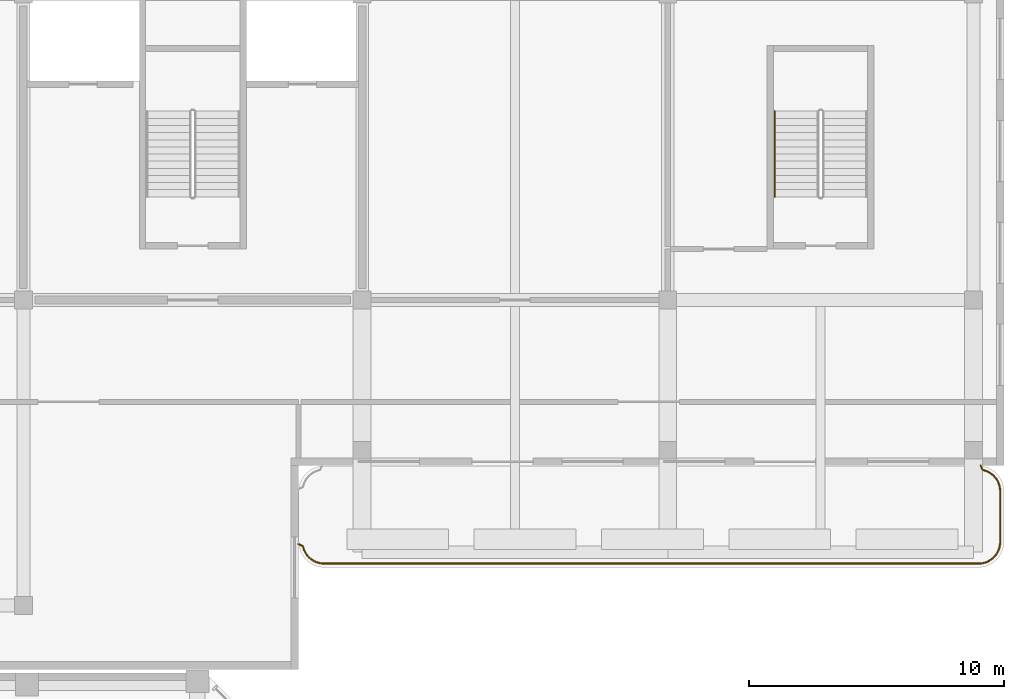
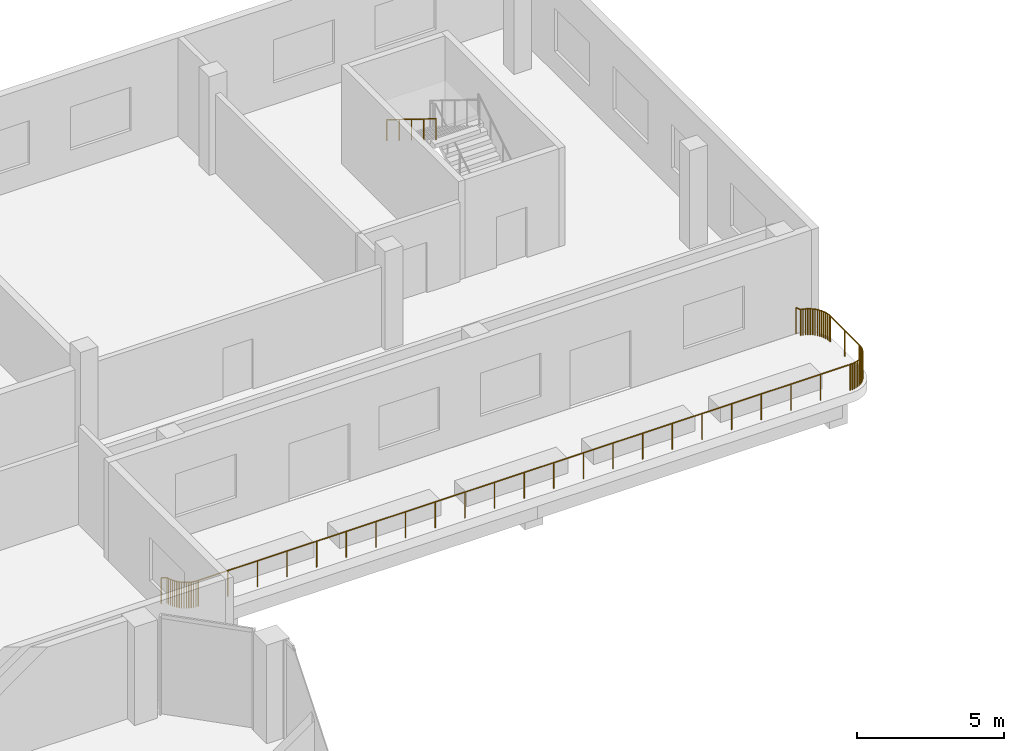
# One storey, part 35 of 36: 2 railings.
"""IFC4 building model written with IfcOpenShell, lengths in metres."""

from ifc_helpers import new_model, si_unit, direction, frame, origin, origin_2d, place, context, subcontext, project, spatial, circle, extrude, material, type_object, element, save


model = new_model("IFC4")

# Units and contexts
model_context = context("Model", 3, precision=1e-05, world=origin(), true_north=direction((0.0, 1.0)))
body_context = subcontext(model_context, "Body", "Model", "MODEL_VIEW")
ifc_project = project(units=[si_unit("LENGTHUNIT", "METRE"), si_unit("AREAUNIT", "SQUARE_METRE"), si_unit("VOLUMEUNIT", "CUBIC_METRE"), si_unit("PLANEANGLEUNIT", "RADIAN"), si_unit("MASSUNIT", "GRAM", prefix="KILO")], contexts=[model_context])

# Site, building, storey
site_placement = place(None, origin())
site = spatial("IfcSite", under=ifc_project, at=site_placement, CompositionType="ELEMENT")
building_placement = place(site_placement, origin())
building = spatial("IfcBuilding", under=site, at=building_placement, Name="Kilnfold Tower and Market Hall", CompositionType="ELEMENT")
storey_placement = place(building_placement, frame((0.0, 0.0, 18.0)))
storey = spatial("IfcBuildingStorey", under=building, at=storey_placement, Name="L03", CompositionType="ELEMENT", Elevation=18.0)

# Railings
ifc_material_1 = material(Name="Steel S355", Category="steel")
railing_type_1 = type_object("IfcRailingType", Name="HALL STAIR HANDRAIL", PredefinedType="HANDRAIL", material=ifc_material_1)
railing_1_placement = place(storey_placement, frame((46.85009765625, 50.06005859375, 2.423095703125)))
element("IfcRailing", 1, at=railing_1_placement, inside=storey, type_object=railing_type_1, Name="L03 MS6 stair handrail 2", PredefinedType="HANDRAIL", context=body_context, shape_type="SweptSolid", body=[
    extrude(circle(Radius=0.02392578125, at=origin_2d()), frame((0.0, 0.0, 0.8759765625), z_axis=(0.0, -0.850623216509, 0.525775754039), x_axis=(1.0, 0.0, 0.0)), (0.0, 0.0, 1.0), 3.9501953125),
    extrude(circle(Radius=0.02099609375, at=origin_2d()), origin(), (0.0, 0.0, 1.0), 0.851806640625),
    extrude(circle(Radius=0.02099609375, at=origin_2d()), frame((0.0, -0.840087890625, 0.519287109375)), (0.0, 0.0, 1.0), 0.851806640625),
    extrude(circle(Radius=0.02099609375, at=origin_2d()), frame((0.0, -1.68017578125, 1.03857421875)), (0.0, 0.0, 1.0), 0.851806640625),
    extrude(circle(Radius=0.02099609375, at=origin_2d()), frame((0.0, -2.52001953125, 1.5576171875)), (0.0, 0.0, 1.0), 0.851806640625),
    extrude(circle(Radius=0.02099609375, at=origin_2d()), frame((0.0, -3.360107421875, 2.076904296875)), (0.0, 0.0, 1.0), 0.851806640625),
])
ifc_material_2 = material(Name="Steel S355", Category="steel")
railing_type_2 = type_object("IfcRailingType", Name="TERRACE GUARD 1100", PredefinedType="GUARDRAIL", material=ifc_material_2)
railing_2_placement = place(storey_placement, frame((54.933349609375, 36.14990234375, 0.0)))
element("IfcRailing", 2, at=railing_2_placement, inside=storey, type_object=railing_type_2, Name="Terrace guard L03", PredefinedType="GUARDRAIL", context=body_context, shape_type="SweptSolid", body=[
    extrude(circle(Radius=0.02392578125, at=origin_2d()), frame((0.0, 0.0, 1.076171875), z_axis=(0.42350270475, -0.905894838858, 0.0), x_axis=(0.905894838858, 0.42350270475, 0.0)), (0.0, 0.0, 1.0), 0.19482421875),
    extrude(circle(Radius=0.02392578125, at=origin_2d()), frame((0.08251953125, -0.176513671875, 1.076171875), z_axis=(0.969969877317, -0.243225074977, 0.0), x_axis=(0.243225074977, 0.969969877317, 0.0)), (0.0, 0.0, 1.0), 0.083251953125),
    extrude(circle(Radius=0.02392578125, at=origin_2d()), frame((0.163330078125, -0.19677734375, 1.076171875), z_axis=(0.941741911595, -0.336336396998, 0.0), x_axis=(0.336336396998, 0.941741911595, 0.0)), (0.0, 0.0, 1.0), 0.08349609375),
    extrude(circle(Radius=0.02392578125, at=origin_2d()), frame((0.241943359375, -0.224853515625, 1.076171875), z_axis=(0.903618326629, -0.428338557428, 0.0), x_axis=(0.428338557428, 0.903618326629, 0.0)), (0.0, 0.0, 1.0), 0.083251953125),
    extrude(circle(Radius=0.02392578125, at=origin_2d()), frame((0.317138671875, -0.260498046875, 1.076171875), z_axis=(0.858525353686, -0.512771115683, 0.0), x_axis=(0.512771115683, 0.858525353686, 0.0)), (0.0, 0.0, 1.0), 0.083251953125),
    extrude(circle(Radius=0.02392578125, at=origin_2d()), frame((0.388671875, -0.30322265625, 1.076171875), z_axis=(0.803143107794, -0.595786159963, 0.0), x_axis=(0.595786159963, 0.803143107794, 0.0)), (0.0, 0.0, 1.0), 0.08349609375),
    extrude(circle(Radius=0.02392578125, at=origin_2d()), frame((0.455810546875, -0.35302734375, 1.076171875), z_axis=(0.741396915291, -0.671066773129, 0.0), x_axis=(0.671066773129, 0.741396915291, 0.0)), (0.0, 0.0, 1.0), 0.083251953125),
    extrude(circle(Radius=0.02392578125, at=origin_2d()), frame((0.517578125, -0.408935546875, 1.076171875), z_axis=(0.671066773129, -0.741396915291, 0.0), x_axis=(0.741396915291, 0.671066773129, 0.0)), (0.0, 0.0, 1.0), 0.083251953125),
    extrude(circle(Radius=0.02392578125, at=origin_2d()), frame((0.573486328125, -0.470703125, 1.076171875), z_axis=(0.595786159963, -0.803143107794, 0.0), x_axis=(0.803143107794, 0.595786159963, 0.0)), (0.0, 0.0, 1.0), 0.08349609375),
    extrude(circle(Radius=0.02392578125, at=origin_2d()), frame((0.623291015625, -0.537841796875, 1.076171875), z_axis=(0.514925942955, -0.857234666397, 0.0), x_axis=(0.857234666397, 0.514925942955, 0.0)), (0.0, 0.0, 1.0), 0.08349609375),
    extrude(circle(Radius=0.02392578125, at=origin_2d()), frame((0.666259765625, -0.609375, 1.076171875), z_axis=(0.424809143949, -0.905282934346, 0.0), x_axis=(0.905282934346, 0.424809143949, 0.0)), (0.0, 0.0, 1.0), 0.083251953125),
    extrude(circle(Radius=0.02392578125, at=origin_2d()), frame((0.70166015625, -0.684814453125, 1.076171875), z_axis=(0.337265155703, -0.941409695483, 0.0), x_axis=(0.941409695483, 0.337265155703, 0.0)), (0.0, 0.0, 1.0), 0.083251953125),
    extrude(circle(Radius=0.02392578125, at=origin_2d()), frame((0.729736328125, -0.76318359375, 1.076171875), z_axis=(0.245979182383, -0.969275111531, 0.0), x_axis=(0.969275111531, 0.245979182383, 0.0)), (0.0, 0.0, 1.0), 0.083251953125),
    extrude(circle(Radius=0.02392578125, at=origin_2d()), frame((0.750244140625, -0.843994140625, 1.076171875), z_axis=(0.146336518873, -0.989234867584, 0.0), x_axis=(0.989234867584, 0.146336518873, 0.0)), (0.0, 0.0, 1.0), 0.08349609375),
    extrude(circle(Radius=0.02392578125, at=origin_2d()), frame((0.762451171875, -0.926513671875, 1.076171875), z_axis=(0.047565149415, -0.998868137724, 0.0), x_axis=(0.998868137724, 0.047565149415, 0.0)), (0.0, 0.0, 1.0), 0.087158203125),
    extrude(circle(Radius=0.02392578125, at=origin_2d()), frame((0.7666015625, -1.013671875, 1.076171875), z_axis=(0.0, -1.0, 0.0), x_axis=(1.0, 0.0, 0.0)), (0.0, 0.0, 1.0), 1.982421875),
    extrude(circle(Radius=0.02392578125, at=origin_2d()), frame((0.7666015625, -2.99609375, 1.076171875), z_axis=(-0.047565149415, -0.998868137724, 0.0), x_axis=(0.998868137724, -0.047565149415, 0.0)), (0.0, 0.0, 1.0), 0.087158203125),
    extrude(circle(Radius=0.02392578125, at=origin_2d()), frame((0.762451171875, -3.083251953125, 1.076171875), z_axis=(-0.146336518873, -0.989234867584, 0.0), x_axis=(0.989234867584, -0.146336518873, 0.0)), (0.0, 0.0, 1.0), 0.08349609375),
    extrude(circle(Radius=0.02392578125, at=origin_2d()), frame((0.750244140625, -3.165771484375, 1.076171875), z_axis=(-0.245979182383, -0.969275111531, 0.0), x_axis=(0.969275111531, -0.245979182383, 0.0)), (0.0, 0.0, 1.0), 0.083251953125),
    extrude(circle(Radius=0.02392578125, at=origin_2d()), frame((0.729736328125, -3.24658203125, 1.076171875), z_axis=(-0.336336396998, -0.941741911595, 0.0), x_axis=(0.941741911595, -0.336336396998, 0.0)), (0.0, 0.0, 1.0), 0.08349609375),
    extrude(circle(Radius=0.02392578125, at=origin_2d()), frame((0.70166015625, -3.3251953125, 1.076171875), z_axis=(-0.425938497463, -0.904752118748, 0.0), x_axis=(0.904752118748, -0.425938497463, 0.0)), (0.0, 0.0, 1.0), 0.0830078125),
    extrude(circle(Radius=0.02392578125, at=origin_2d()), frame((0.666259765625, -3.400390625, 1.076171875), z_axis=(-0.514925942955, -0.857234666397, 0.0), x_axis=(0.857234666397, -0.514925942955, 0.0)), (0.0, 0.0, 1.0), 0.08349609375),
    extrude(circle(Radius=0.02392578125, at=origin_2d()), frame((0.623291015625, -3.471923828125, 1.076171875), z_axis=(-0.595786159963, -0.803143107794, 0.0), x_axis=(0.803143107794, -0.595786159963, 0.0)), (0.0, 0.0, 1.0), 0.08349609375),
    extrude(circle(Radius=0.02392578125, at=origin_2d()), frame((0.573486328125, -3.5390625, 1.076171875), z_axis=(-0.671066773129, -0.741396915291, 0.0), x_axis=(0.741396915291, -0.671066773129, 0.0)), (0.0, 0.0, 1.0), 0.083251953125),
    extrude(circle(Radius=0.02392578125, at=origin_2d()), frame((0.517578125, -3.600830078125, 1.076171875), z_axis=(-0.741396915291, -0.671066773129, 0.0), x_axis=(0.671066773129, -0.741396915291, 0.0)), (0.0, 0.0, 1.0), 0.083251953125),
    extrude(circle(Radius=0.02392578125, at=origin_2d()), frame((0.455810546875, -3.65673828125, 1.076171875), z_axis=(-0.803143107794, -0.595786159963, 0.0), x_axis=(0.595786159963, -0.803143107794, 0.0)), (0.0, 0.0, 1.0), 0.08349609375),
    extrude(circle(Radius=0.02392578125, at=origin_2d()), frame((0.388671875, -3.70654296875, 1.076171875), z_axis=(-0.857234666397, -0.514925942955, 0.0), x_axis=(0.514925942955, -0.857234666397, 0.0)), (0.0, 0.0, 1.0), 0.08349609375),
    extrude(circle(Radius=0.02392578125, at=origin_2d()), frame((0.317138671875, -3.74951171875, 1.076171875), z_axis=(-0.904752118748, -0.425938497463, 0.0), x_axis=(0.425938497463, -0.904752118748, 0.0)), (0.0, 0.0, 1.0), 0.0830078125),
    extrude(circle(Radius=0.02392578125, at=origin_2d()), frame((0.241943359375, -3.784912109375, 1.076171875), z_axis=(-0.941741911595, -0.336336396998, 0.0), x_axis=(0.336336396998, -0.941741911595, 0.0)), (0.0, 0.0, 1.0), 0.08349609375),
    extrude(circle(Radius=0.02392578125, at=origin_2d()), frame((0.163330078125, -3.81298828125, 1.076171875), z_axis=(-0.969275111531, -0.245979182383, 0.0), x_axis=(0.245979182383, -0.969275111531, 0.0)), (0.0, 0.0, 1.0), 0.083251953125),
    extrude(circle(Radius=0.02392578125, at=origin_2d()), frame((0.08251953125, -3.83349609375, 1.076171875), z_axis=(-0.989234867584, -0.146336518873, 0.0), x_axis=(0.146336518873, -0.989234867584, 0.0)), (0.0, 0.0, 1.0), 0.08349609375),
    extrude(circle(Radius=0.02392578125, at=origin_2d()), frame((0.0, -3.845703125, 1.076171875), z_axis=(-0.998868137724, -0.047565149415, 0.0), x_axis=(0.047565149415, -0.998868137724, 0.0)), (0.0, 0.0, 1.0), 0.087158203125),
    extrude(circle(Radius=0.02392578125, at=origin_2d()), frame((-0.087158203125, -3.849853515625, 1.076171875), z_axis=(-1.0, 0.0, 0.0), x_axis=(0.0, -1.0, 0.0)), (0.0, 0.0, 1.0), 25.682373046875),
    extrude(circle(Radius=0.02392578125, at=origin_2d()), frame((-25.76953125, -3.849853515625, 1.076171875), z_axis=(-0.998868137724, 0.047565149415, 0.0), x_axis=(-0.047565149415, -0.998868137724, 0.0)), (0.0, 0.0, 1.0), 0.087158203125),
    extrude(circle(Radius=0.02392578125, at=origin_2d()), frame((-25.856689453125, -3.845703125, 1.076171875), z_axis=(-0.989234867584, 0.146336518873, 0.0), x_axis=(-0.146336518873, -0.989234867584, 0.0)), (0.0, 0.0, 1.0), 0.08349609375),
    extrude(circle(Radius=0.02392578125, at=origin_2d()), frame((-25.939208984375, -3.83349609375, 1.076171875), z_axis=(-0.969275111531, 0.245979182383, 0.0), x_axis=(-0.245979182383, -0.969275111531, 0.0)), (0.0, 0.0, 1.0), 0.083251953125),
    extrude(circle(Radius=0.02392578125, at=origin_2d()), frame((-26.02001953125, -3.81298828125, 1.076171875), z_axis=(-0.941741911595, 0.336336396998, 0.0), x_axis=(-0.336336396998, -0.941741911595, 0.0)), (0.0, 0.0, 1.0), 0.08349609375),
    extrude(circle(Radius=0.02392578125, at=origin_2d()), frame((-26.0986328125, -3.784912109375, 1.076171875), z_axis=(-0.904752118748, 0.425938497463, 0.0), x_axis=(-0.425938497463, -0.904752118748, 0.0)), (0.0, 0.0, 1.0), 0.0830078125),
    extrude(circle(Radius=0.02392578125, at=origin_2d()), frame((-26.173828125, -3.74951171875, 1.076171875), z_axis=(-0.857234666397, 0.514925942955, 0.0), x_axis=(-0.514925942955, -0.857234666397, 0.0)), (0.0, 0.0, 1.0), 0.08349609375),
    extrude(circle(Radius=0.02392578125, at=origin_2d()), frame((-26.245361328125, -3.70654296875, 1.076171875), z_axis=(-0.803143107794, 0.595786159963, 0.0), x_axis=(-0.595786159963, -0.803143107794, 0.0)), (0.0, 0.0, 1.0), 0.08349609375),
    extrude(circle(Radius=0.02392578125, at=origin_2d()), frame((-26.3125, -3.65673828125, 1.076171875), z_axis=(-0.741396915291, 0.671066773129, 0.0), x_axis=(-0.671066773129, -0.741396915291, 0.0)), (0.0, 0.0, 1.0), 0.083251953125),
    extrude(circle(Radius=0.02392578125, at=origin_2d()), frame((-26.374267578125, -3.600830078125, 1.076171875), z_axis=(-0.671066773129, 0.741396915291, 0.0), x_axis=(-0.741396915291, -0.671066773129, 0.0)), (0.0, 0.0, 1.0), 0.083251953125),
    extrude(circle(Radius=0.02392578125, at=origin_2d()), frame((-26.43017578125, -3.5390625, 1.076171875), z_axis=(-0.595786159963, 0.803143107794, 0.0), x_axis=(-0.803143107794, -0.595786159963, 0.0)), (0.0, 0.0, 1.0), 0.08349609375),
    extrude(circle(Radius=0.02392578125, at=origin_2d()), frame((-26.47998046875, -3.471923828125, 1.076171875), z_axis=(-0.514925942955, 0.857234666397, 0.0), x_axis=(-0.857234666397, -0.514925942955, 0.0)), (0.0, 0.0, 1.0), 0.08349609375),
    extrude(circle(Radius=0.02392578125, at=origin_2d()), frame((-26.52294921875, -3.400390625, 1.076171875), z_axis=(-0.425938497463, 0.904752118748, 0.0), x_axis=(-0.904752118748, -0.425938497463, 0.0)), (0.0, 0.0, 1.0), 0.0830078125),
    extrude(circle(Radius=0.02392578125, at=origin_2d()), frame((-26.558349609375, -3.3251953125, 1.076171875), z_axis=(-0.338926384952, 0.940812896161, 0.0), x_axis=(-0.940812896161, -0.338926384952, 0.0)), (0.0, 0.0, 1.0), 0.08349609375),
    extrude(circle(Radius=0.02392578125, at=origin_2d()), frame((-26.586669921875, -3.24658203125, 1.076171875), z_axis=(-0.243225074977, 0.969969877317, 0.0), x_axis=(-0.969969877317, -0.243225074977, 0.0)), (0.0, 0.0, 1.0), 0.083251953125),
    extrude(circle(Radius=0.02392578125, at=origin_2d()), frame((-26.60693359375, -3.165771484375, 1.076171875), z_axis=(-0.905894838858, 0.42350270475, 0.0), x_axis=(-0.42350270475, -0.905894838858, 0.0)), (0.0, 0.0, 1.0), 0.19482421875),
    extrude(circle(Radius=0.02099609375, at=origin_2d()), origin(), (0.0, 0.0, 1.0), 1.052001953125),
    extrude(circle(Radius=0.02099609375, at=origin_2d()), frame((0.08251953125, -0.176513671875, 0.0)), (0.0, 0.0, 1.0), 1.052001953125),
    extrude(circle(Radius=0.02099609375, at=origin_2d()), frame((0.163330078125, -0.19677734375, 0.0)), (0.0, 0.0, 1.0), 1.052001953125),
    extrude(circle(Radius=0.02099609375, at=origin_2d()), frame((0.241943359375, -0.224853515625, 0.0)), (0.0, 0.0, 1.0), 1.052001953125),
    extrude(circle(Radius=0.02099609375, at=origin_2d()), frame((0.317138671875, -0.260498046875, 0.0)), (0.0, 0.0, 1.0), 1.052001953125),
    extrude(circle(Radius=0.02099609375, at=origin_2d()), frame((0.388671875, -0.30322265625, 0.0)), (0.0, 0.0, 1.0), 1.052001953125),
    extrude(circle(Radius=0.02099609375, at=origin_2d()), frame((0.455810546875, -0.35302734375, 0.0)), (0.0, 0.0, 1.0), 1.052001953125),
    extrude(circle(Radius=0.02099609375, at=origin_2d()), frame((0.517578125, -0.408935546875, 0.0)), (0.0, 0.0, 1.0), 1.052001953125),
    extrude(circle(Radius=0.02099609375, at=origin_2d()), frame((0.573486328125, -0.470703125, 0.0)), (0.0, 0.0, 1.0), 1.052001953125),
    extrude(circle(Radius=0.02099609375, at=origin_2d()), frame((0.623291015625, -0.537841796875, 0.0)), (0.0, 0.0, 1.0), 1.052001953125),
    extrude(circle(Radius=0.02099609375, at=origin_2d()), frame((0.666259765625, -0.609375, 0.0)), (0.0, 0.0, 1.0), 1.052001953125),
    extrude(circle(Radius=0.02099609375, at=origin_2d()), frame((0.70166015625, -0.684814453125, 0.0)), (0.0, 0.0, 1.0), 1.052001953125),
    extrude(circle(Radius=0.02099609375, at=origin_2d()), frame((0.729736328125, -0.76318359375, 0.0)), (0.0, 0.0, 1.0), 1.052001953125),
    extrude(circle(Radius=0.02099609375, at=origin_2d()), frame((0.750244140625, -0.843994140625, 0.0)), (0.0, 0.0, 1.0), 1.052001953125),
    extrude(circle(Radius=0.02099609375, at=origin_2d()), frame((0.762451171875, -0.926513671875, 0.0)), (0.0, 0.0, 1.0), 1.052001953125),
    extrude(circle(Radius=0.02099609375, at=origin_2d()), frame((0.7666015625, -1.013671875, 0.0)), (0.0, 0.0, 1.0), 1.052001953125),
    extrude(circle(Radius=0.02099609375, at=origin_2d()), frame((0.7666015625, -2.0048828125, 0.0)), (0.0, 0.0, 1.0), 1.052001953125),
    extrude(circle(Radius=0.02099609375, at=origin_2d()), frame((0.7666015625, -2.99609375, 0.0)), (0.0, 0.0, 1.0), 1.052001953125),
    extrude(circle(Radius=0.02099609375, at=origin_2d()), frame((0.762451171875, -3.083251953125, 0.0)), (0.0, 0.0, 1.0), 1.052001953125),
    extrude(circle(Radius=0.02099609375, at=origin_2d()), frame((0.750244140625, -3.165771484375, 0.0)), (0.0, 0.0, 1.0), 1.052001953125),
    extrude(circle(Radius=0.02099609375, at=origin_2d()), frame((0.729736328125, -3.24658203125, 0.0)), (0.0, 0.0, 1.0), 1.052001953125),
    extrude(circle(Radius=0.02099609375, at=origin_2d()), frame((0.70166015625, -3.3251953125, 0.0)), (0.0, 0.0, 1.0), 1.052001953125),
    extrude(circle(Radius=0.02099609375, at=origin_2d()), frame((0.666259765625, -3.400390625, 0.0)), (0.0, 0.0, 1.0), 1.052001953125),
    extrude(circle(Radius=0.02099609375, at=origin_2d()), frame((0.623291015625, -3.471923828125, 0.0)), (0.0, 0.0, 1.0), 1.052001953125),
    extrude(circle(Radius=0.02099609375, at=origin_2d()), frame((0.573486328125, -3.5390625, 0.0)), (0.0, 0.0, 1.0), 1.052001953125),
    extrude(circle(Radius=0.02099609375, at=origin_2d()), frame((0.517578125, -3.600830078125, 0.0)), (0.0, 0.0, 1.0), 1.052001953125),
    extrude(circle(Radius=0.02099609375, at=origin_2d()), frame((0.455810546875, -3.65673828125, 0.0)), (0.0, 0.0, 1.0), 1.052001953125),
    extrude(circle(Radius=0.02099609375, at=origin_2d()), frame((0.388671875, -3.70654296875, 0.0)), (0.0, 0.0, 1.0), 1.052001953125),
    extrude(circle(Radius=0.02099609375, at=origin_2d()), frame((0.317138671875, -3.74951171875, 0.0)), (0.0, 0.0, 1.0), 1.052001953125),
    extrude(circle(Radius=0.02099609375, at=origin_2d()), frame((0.241943359375, -3.784912109375, 0.0)), (0.0, 0.0, 1.0), 1.052001953125),
    extrude(circle(Radius=0.02099609375, at=origin_2d()), frame((0.163330078125, -3.81298828125, 0.0)), (0.0, 0.0, 1.0), 1.052001953125),
    extrude(circle(Radius=0.02099609375, at=origin_2d()), frame((0.08251953125, -3.83349609375, 0.0)), (0.0, 0.0, 1.0), 1.052001953125),
    extrude(circle(Radius=0.02099609375, at=origin_2d()), frame((0.0, -3.845703125, 0.0)), (0.0, 0.0, 1.0), 1.052001953125),
    extrude(circle(Radius=0.02099609375, at=origin_2d()), frame((-0.087158203125, -3.849853515625, 0.0)), (0.0, 0.0, 1.0), 1.052001953125),
    extrude(circle(Radius=0.02099609375, at=origin_2d()), frame((-1.254638671875, -3.849853515625, 0.0)), (0.0, 0.0, 1.0), 1.052001953125),
    extrude(circle(Radius=0.02099609375, at=origin_2d()), frame((-2.421875, -3.849853515625, 0.0)), (0.0, 0.0, 1.0), 1.052001953125),
    extrude(circle(Radius=0.02099609375, at=origin_2d()), frame((-3.58935546875, -3.849853515625, 0.0)), (0.0, 0.0, 1.0), 1.052001953125),
    extrude(circle(Radius=0.02099609375, at=origin_2d()), frame((-4.756591796875, -3.849853515625, 0.0)), (0.0, 0.0, 1.0), 1.052001953125),
    extrude(circle(Radius=0.02099609375, at=origin_2d()), frame((-5.924072265625, -3.849853515625, 0.0)), (0.0, 0.0, 1.0), 1.052001953125),
    extrude(circle(Radius=0.02099609375, at=origin_2d()), frame((-7.091552734375, -3.849853515625, 0.0)), (0.0, 0.0, 1.0), 1.052001953125),
    extrude(circle(Radius=0.02099609375, at=origin_2d()), frame((-8.2587890625, -3.849853515625, 0.0)), (0.0, 0.0, 1.0), 1.052001953125),
    extrude(circle(Radius=0.02099609375, at=origin_2d()), frame((-9.42626953125, -3.849853515625, 0.0)), (0.0, 0.0, 1.0), 1.052001953125),
    extrude(circle(Radius=0.02099609375, at=origin_2d()), frame((-10.593505859375, -3.849853515625, 0.0)), (0.0, 0.0, 1.0), 1.052001953125),
    extrude(circle(Radius=0.02099609375, at=origin_2d()), frame((-11.760986328125, -3.849853515625, 0.0)), (0.0, 0.0, 1.0), 1.052001953125),
    extrude(circle(Radius=0.02099609375, at=origin_2d()), frame((-12.92822265625, -3.849853515625, 0.0)), (0.0, 0.0, 1.0), 1.052001953125),
    extrude(circle(Radius=0.02099609375, at=origin_2d()), frame((-14.095703125, -3.849853515625, 0.0)), (0.0, 0.0, 1.0), 1.052001953125),
    extrude(circle(Radius=0.02099609375, at=origin_2d()), frame((-15.26318359375, -3.849853515625, 0.0)), (0.0, 0.0, 1.0), 1.052001953125),
    extrude(circle(Radius=0.02099609375, at=origin_2d()), frame((-16.430419921875, -3.849853515625, 0.0)), (0.0, 0.0, 1.0), 1.052001953125),
    extrude(circle(Radius=0.02099609375, at=origin_2d()), frame((-17.597900390625, -3.849853515625, 0.0)), (0.0, 0.0, 1.0), 1.052001953125),
    extrude(circle(Radius=0.02099609375, at=origin_2d()), frame((-18.76513671875, -3.849853515625, 0.0)), (0.0, 0.0, 1.0), 1.052001953125),
    extrude(circle(Radius=0.02099609375, at=origin_2d()), frame((-19.9326171875, -3.849853515625, 0.0)), (0.0, 0.0, 1.0), 1.052001953125),
    extrude(circle(Radius=0.02099609375, at=origin_2d()), frame((-21.10009765625, -3.849853515625, 0.0)), (0.0, 0.0, 1.0), 1.052001953125),
    extrude(circle(Radius=0.02099609375, at=origin_2d()), frame((-22.267333984375, -3.849853515625, 0.0)), (0.0, 0.0, 1.0), 1.052001953125),
    extrude(circle(Radius=0.02099609375, at=origin_2d()), frame((-23.434814453125, -3.849853515625, 0.0)), (0.0, 0.0, 1.0), 1.052001953125),
    extrude(circle(Radius=0.02099609375, at=origin_2d()), frame((-24.60205078125, -3.849853515625, 0.0)), (0.0, 0.0, 1.0), 1.052001953125),
    extrude(circle(Radius=0.02099609375, at=origin_2d()), frame((-25.76953125, -3.849853515625, 0.0)), (0.0, 0.0, 1.0), 1.052001953125),
    extrude(circle(Radius=0.02099609375, at=origin_2d()), frame((-25.856689453125, -3.845703125, 0.0)), (0.0, 0.0, 1.0), 1.052001953125),
    extrude(circle(Radius=0.02099609375, at=origin_2d()), frame((-25.939208984375, -3.83349609375, 0.0)), (0.0, 0.0, 1.0), 1.052001953125),
    extrude(circle(Radius=0.02099609375, at=origin_2d()), frame((-26.02001953125, -3.81298828125, 0.0)), (0.0, 0.0, 1.0), 1.052001953125),
    extrude(circle(Radius=0.02099609375, at=origin_2d()), frame((-26.0986328125, -3.784912109375, 0.0)), (0.0, 0.0, 1.0), 1.052001953125),
    extrude(circle(Radius=0.02099609375, at=origin_2d()), frame((-26.173828125, -3.74951171875, 0.0)), (0.0, 0.0, 1.0), 1.052001953125),
    extrude(circle(Radius=0.02099609375, at=origin_2d()), frame((-26.245361328125, -3.70654296875, 0.0)), (0.0, 0.0, 1.0), 1.052001953125),
    extrude(circle(Radius=0.02099609375, at=origin_2d()), frame((-26.3125, -3.65673828125, 0.0)), (0.0, 0.0, 1.0), 1.052001953125),
    extrude(circle(Radius=0.02099609375, at=origin_2d()), frame((-26.374267578125, -3.600830078125, 0.0)), (0.0, 0.0, 1.0), 1.052001953125),
    extrude(circle(Radius=0.02099609375, at=origin_2d()), frame((-26.43017578125, -3.5390625, 0.0)), (0.0, 0.0, 1.0), 1.052001953125),
    extrude(circle(Radius=0.02099609375, at=origin_2d()), frame((-26.47998046875, -3.471923828125, 0.0)), (0.0, 0.0, 1.0), 1.052001953125),
    extrude(circle(Radius=0.02099609375, at=origin_2d()), frame((-26.52294921875, -3.400390625, 0.0)), (0.0, 0.0, 1.0), 1.052001953125),
    extrude(circle(Radius=0.02099609375, at=origin_2d()), frame((-26.558349609375, -3.3251953125, 0.0)), (0.0, 0.0, 1.0), 1.052001953125),
    extrude(circle(Radius=0.02099609375, at=origin_2d()), frame((-26.586669921875, -3.24658203125, 0.0)), (0.0, 0.0, 1.0), 1.052001953125),
    extrude(circle(Radius=0.02099609375, at=origin_2d()), frame((-26.60693359375, -3.165771484375, 0.0)), (0.0, 0.0, 1.0), 1.052001953125),
    extrude(circle(Radius=0.02099609375, at=origin_2d()), frame((-26.783447265625, -3.083251953125, 0.0)), (0.0, 0.0, 1.0), 1.052001953125),
])

save(model, "model.ifc")
